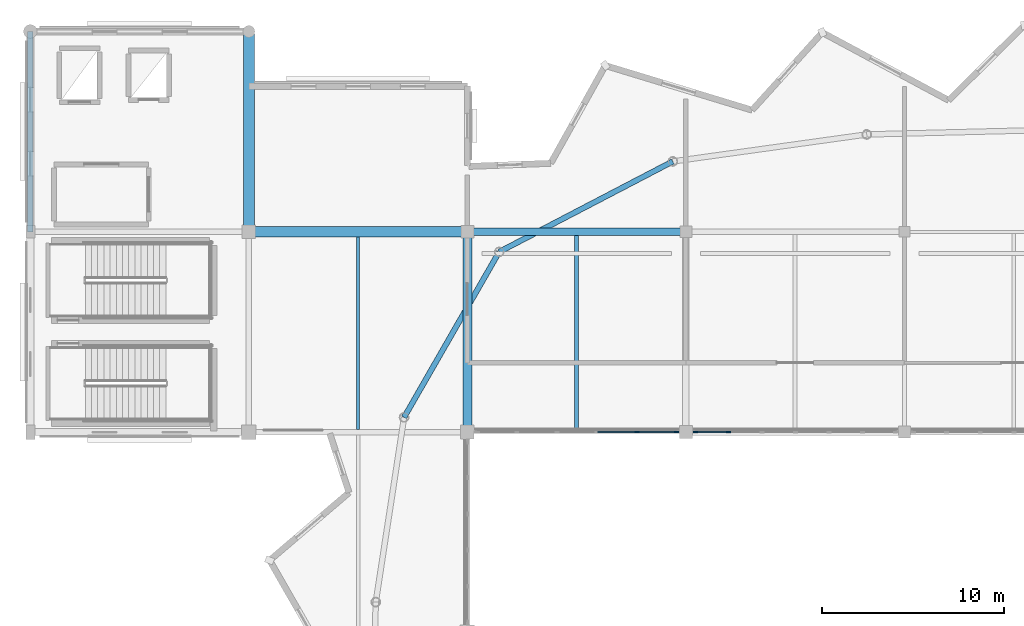
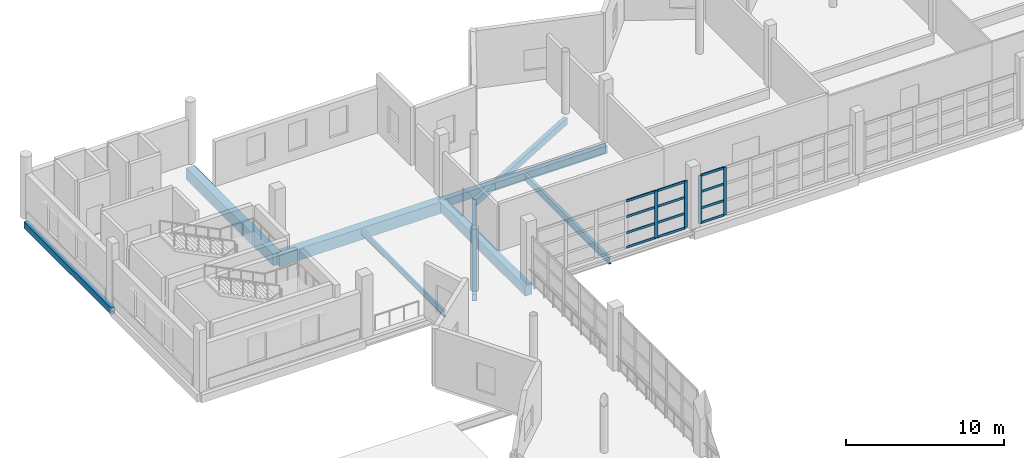
# One storey, part 22 of 53: 16 members, 9 beams, 2 elements without a shape of their own.
"""IFC4 building model written with IfcOpenShell, lengths in metres."""

import ifcopenshell
import ifcopenshell.guid

model = None  # the IFC model being written
_history = None  # IfcOwnerHistory: only IFC2X3 demands one
_inside = {}  # id of a spatial element -> (the spatial element, [elements in it])
_under = {}  # id of a project, library or spatial element -> (it, [spatial elements below it])
_declared = {}  # id of a project -> (the project, [libraries it declares])
_typed = {}  # id of a type object -> (the type object, [elements of that type])
_made_of = {}  # id of a material, layer set ... -> (it, [elements and type objects made of it])


def new_model(schema):
    """Start an empty IFC model of exactly this schema.

    Asked for "IFC4X3", IfcOpenShell would pick the latest addendum, in which some entities
    have other attributes; the version numbers below select the first issue.
    IFC2X3 requires an IfcOwnerHistory on every rooted entity: one is made here for all.
    """
    global model, _history
    if schema == "IFC4X3":
        model = ifcopenshell.file(schema_version=(4, 3, 0, 0))
    else:
        model = ifcopenshell.file(schema=schema)
    _inside.clear()
    _under.clear()
    _declared.clear()
    _typed.clear()
    _made_of.clear()
    _history = None
    if model.schema == "IFC2X3":
        org = make("IfcOrganization", Name="unknown")
        user = make(
            "IfcPersonAndOrganization",
            ThePerson=make("IfcPerson", FamilyName="unknown"),
            TheOrganization=org,
        )
        app = make(
            "IfcApplication",
            ApplicationDeveloper=org,
            Version="unknown",
            ApplicationFullName="unknown",
            ApplicationIdentifier="unknown",
        )
        _history = make(
            "IfcOwnerHistory",
            OwningUser=user,
            OwningApplication=app,
            ChangeAction="ADDED",
            CreationDate=0,
        )
    return model


def make(cls, **values):
    """One entity of the class cls with the attributes given. An attribute that is None is left unset."""
    return model.create_entity(
        cls, **{name: value for name, value in values.items() if value is not None}
    )


def rooted(cls, **values):
    """An entity with a GlobalId (a new one), such as an element, a storey or a relation."""
    return make(cls, GlobalId=ifcopenshell.guid.new(), OwnerHistory=_history, **values)


def si_unit(unit_type, name, prefix=None):
    """IfcSIUnit, for example si_unit("LENGTHUNIT", "METRE", prefix="MILLI")."""
    return make("IfcSIUnit", UnitType=unit_type, Prefix=prefix, Name=name)


def assignment(units):
    """IfcUnitAssignment: the units of a project."""
    return None if units is None else make("IfcUnitAssignment", Units=units)


def point(xyz):
    """IfcCartesianPoint."""
    return None if xyz is None else make("IfcCartesianPoint", Coordinates=xyz)


def direction(xyz):
    """IfcDirection."""
    return None if xyz is None else make("IfcDirection", DirectionRatios=xyz)


def frame(location, z_axis=None, x_axis=None):
    """IfcAxis2Placement3D, a coordinate frame: its origin and axes. An axis left out is left unset."""
    return make(
        "IfcAxis2Placement3D",
        Location=point(location),
        Axis=direction(z_axis),
        RefDirection=direction(x_axis),
    )


def frame_2d(location, x_axis=None):
    """IfcAxis2Placement2D, a coordinate frame in the plane: its origin and x axis."""
    return make(
        "IfcAxis2Placement2D", Location=point(location), RefDirection=direction(x_axis)
    )


def origin():
    """The frame at (0, 0, 0) with its axes left unset."""
    return frame((0.0, 0.0, 0.0))


def origin_2d():
    """The frame at (0, 0) in the plane with its x axis left unset."""
    return frame_2d((0.0, 0.0))


def place(relative_to, where):
    """IfcLocalPlacement: puts the frame where relative to a parent placement (None: the world)."""
    return make(
        "IfcLocalPlacement", PlacementRelTo=relative_to, RelativePlacement=where
    )


def context(
    kind, dimensions, precision=None, world=None, true_north=None, identifier=None
):
    """IfcGeometricRepresentationContext, for example the 3D "Model" context."""
    return make(
        "IfcGeometricRepresentationContext",
        ContextIdentifier=identifier,
        ContextType=kind,
        CoordinateSpaceDimension=dimensions,
        Precision=precision,
        WorldCoordinateSystem=world,
        TrueNorth=true_north,
    )


def subcontext(parent, identifier, kind, view, scale=None):
    """IfcGeometricRepresentationSubContext, for example "Body" below "Model"."""
    return make(
        "IfcGeometricRepresentationSubContext",
        ContextIdentifier=identifier,
        ContextType=kind,
        ParentContext=parent,
        TargetScale=scale,
        TargetView=view,
    )


def project(units=None, contexts=None):
    """IfcProject with its units and contexts."""
    return rooted(
        "IfcProject",
        Name="project",
        RepresentationContexts=contexts,
        UnitsInContext=assignment(units),
    )


def spatial(cls, under=None, at=None, **own):
    """A site, building, storey or space (cls), placed at a placement, below another one or the project."""
    s = rooted(cls, ObjectPlacement=at, **own)
    if under is not None:
        _under.setdefault(under.id(), (under, []))[1].append(s)
    return s


def profile(cls, at=None, kind="AREA", **sizes):
    """A parametric profile (cls). Its sizes go by their IFC names, for example OverallWidth=200.0."""
    return make(cls, ProfileType=kind, Position=at, **sizes)


def rectangle(**sizes):
    """IfcRectangleProfileDef."""
    return profile("IfcRectangleProfileDef", **sizes)


def hollow_rectangle(**sizes):
    """IfcRectangleHollowProfileDef."""
    return profile("IfcRectangleHollowProfileDef", **sizes)


def i_section(**sizes):
    """IfcIShapeProfileDef."""
    return profile("IfcIShapeProfileDef", **sizes)


def extrude(swept, where, along, depth):
    """IfcExtrudedAreaSolid: the profile swept, set in the frame where, extruded along a direction by depth."""
    return make(
        "IfcExtrudedAreaSolid",
        SweptArea=swept,
        Position=where,
        ExtrudedDirection=direction(along),
        Depth=depth,
    )


def shape(context_of_items, identifier, shape_type, items):
    """IfcShapeRepresentation: the items that make up one representation, for example the "Body"."""
    return make(
        "IfcShapeRepresentation",
        ContextOfItems=context_of_items,
        RepresentationIdentifier=identifier,
        RepresentationType=shape_type,
        Items=items,
    )


def material(Name=None, Category=None):
    """IfcMaterial."""
    return make("IfcMaterial", Name=Name, Category=Category)


def material_profile(
    of_material, cross_section, Name=None, Category=None, Priority=None
):
    """IfcMaterialProfile: a cross section and its material."""
    return make(
        "IfcMaterialProfile",
        Name=Name,
        Material=of_material,
        Profile=cross_section,
        Priority=Priority,
        Category=Category,
    )


def profile_set(profiles, Name=None, composite=None):
    """IfcMaterialProfileSet."""
    return make(
        "IfcMaterialProfileSet",
        Name=Name,
        MaterialProfiles=profiles,
        CompositeProfile=composite,
    )


def made_of(thing, what):
    """Note that an element or type object is made of a material, layer set ...; save() writes the relation."""
    if what is not None:
        _made_of.setdefault(what.id(), (what, []))[1].append(thing)
    return thing


def type_object(cls, material=None, **own):
    """A type object (cls), such as IfcWallType, which elements share."""
    return made_of(rooted(cls, **own), material)


def element(
    cls,
    number,
    at=None,
    inside=None,
    cuts=None,
    type_object=None,
    material=None,
    context=None,
    identifier="Body",
    shape_type=None,
    held_by="IfcProductDefinitionShape",
    body=None,
    shapes=None,
    **own,
):
    """One element of the class cls, such as IfcWall. Its Tag is "e" and its number.

    at: its placement. inside: the storey or other place that contains it. cuts: it is an
    opening in that element (IfcRelVoidsElement). A single representation is given by context,
    identifier, shape_type and body (its items); several are given by shapes. held_by: the class
    of the entity that holds the representations. save() writes the other relations.
    """
    e = rooted(cls, Tag="e%d" % number, ObjectPlacement=at, **own)
    if body is not None:
        shapes = [shape(context, identifier, shape_type, body)]
    if shapes is not None:
        e.Representation = make(held_by, Representations=shapes)
    if inside is not None:
        _inside.setdefault(inside.id(), (inside, []))[1].append(e)
    if cuts is not None:
        rooted(
            "IfcRelVoidsElement", RelatingBuildingElement=cuts, RelatedOpeningElement=e
        )
    if type_object is not None:
        _typed.setdefault(type_object.id(), (type_object, []))[1].append(e)
    return made_of(e, material)


def aggregate(whole, parts):
    """IfcRelAggregates: a whole, such as a stair, and the parts it consists of."""
    return rooted("IfcRelAggregates", RelatingObject=whole, RelatedObjects=parts)


def save(model, path):
    """Write the relations noted so far, then the file.

    IfcRelAggregates (storeys below a building ...), IfcRelContainedInSpatialStructure (elements
    in a storey), IfcRelDefinesByType, IfcRelAssociatesMaterial and IfcRelDeclares: one each for
    every whole, place, type object, material and project.
    """
    for whole, parts in _under.values():
        aggregate(whole, parts)
    for where, things in _inside.values():
        rooted(
            "IfcRelContainedInSpatialStructure",
            RelatedElements=things,
            RelatingStructure=where,
        )
    for kind, things in _typed.values():
        rooted("IfcRelDefinesByType", RelatedObjects=things, RelatingType=kind)
    for what, things in _made_of.values():
        rooted("IfcRelAssociatesMaterial", RelatedObjects=things, RelatingMaterial=what)
    for by, libraries in _declared.values():
        rooted("IfcRelDeclares", RelatingContext=by, RelatedDefinitions=libraries)
    model.write(path)


model = new_model("IFC4")

# Units and contexts
model_context = context("Model", 3, precision=1e-05, world=origin(), true_north=direction((0.0, 1.0)))
body_context = subcontext(model_context, "Body", "Model", "MODEL_VIEW")
ifc_project = project(units=[si_unit("LENGTHUNIT", "METRE"), si_unit("AREAUNIT", "SQUARE_METRE"), si_unit("VOLUMEUNIT", "CUBIC_METRE"), si_unit("PLANEANGLEUNIT", "RADIAN"), si_unit("MASSUNIT", "GRAM", prefix="KILO")], contexts=[model_context])

# Site, building, storey
site_placement = place(None, origin())
site = spatial("IfcSite", under=ifc_project, at=site_placement, CompositionType="ELEMENT")
building_placement = place(site_placement, origin())
building = spatial("IfcBuilding", under=site, at=building_placement, Name="Luwafu Chhajja Arena", CompositionType="ELEMENT")
storey_placement = place(building_placement, frame((0.0, 0.0, 19.5)))
storey = spatial("IfcBuildingStorey", under=building, at=storey_placement, Name="L04", CompositionType="ELEMENT", Elevation=19.5)

# Curtain wall, members
ifc_material_1 = material(Name="Anodised bronze aluminium", Category="aluminium")
curtain_wall_type = type_object("IfcCurtainWallType", Name="Media Ribbon Curtain Wall", PredefinedType="USERDEFINED", material=ifc_material_1)
curtain_wall_1_placement = place(storey_placement, origin())
curtain_wall_1 = element("IfcCurtainWall", 1, at=curtain_wall_1_placement, inside=storey, type_object=curtain_wall_type, Name="L04 Bowl Viewing Curtain Wall CWR-L04-08", ObjectType="CURTAIN WALL", PredefinedType="USERDEFINED")
ifc_material_profile_1 = material_profile(ifc_material_1, rectangle(XDim=0.070068359375, YDim=0.239990234375, at=origin_2d()), Name="CWM 70x240")
ifc_profile_set_1 = profile_set([ifc_material_profile_1], Name="Anodised bronze aluminium")
member_type_1 = type_object("IfcMemberType", Name="Bronze Curtain Wall Mullion 70x240", PredefinedType="MULLION", material=ifc_profile_set_1)
member_1_placement = place(storey_placement, frame((67.31103515625, 77.0, 0.0), z_axis=(0.0, 0.0, 1.0), x_axis=(0.0, 1.0, 0.0)))
member_1 = element("IfcMember", 2, at=member_1_placement, type_object=member_type_1, Name="CW-03 mullion 5", PredefinedType="MULLION", context=body_context, shape_type="SweptSolid", body=[
    extrude(rectangle(XDim=0.070068359375, YDim=0.239990234375, at=origin_2d()), origin(), (0.0, 0.0, 1.0), 3.639892578125),
])
member_2_placement = place(storey_placement, frame((69.47509765625, 77.0, 0.0), z_axis=(0.0, 0.0, 1.0), x_axis=(0.0, 1.0, 0.0)))
member_2 = element("IfcMember", 3, at=member_2_placement, type_object=member_type_1, Name="CW-03 mullion 6", PredefinedType="MULLION", context=body_context, shape_type="SweptSolid", body=[
    extrude(rectangle(XDim=0.070068359375, YDim=0.239990234375, at=origin_2d()), origin(), (0.0, 0.0, 1.0), 3.639892578125),
])

curtain_wall_2_placement = place(storey_placement, origin())
curtain_wall_2 = element("IfcCurtainWall", 4, at=curtain_wall_2_placement, inside=storey, type_object=curtain_wall_type, Name="L04 Bowl Viewing Curtain Wall CWR-L04-09", ObjectType="CURTAIN WALL", PredefinedType="USERDEFINED")
member_3_placement = place(storey_placement, frame((70.52490234375, 77.0, 0.0), z_axis=(0.0, 0.0, 1.0), x_axis=(0.0, 1.0, 0.0)))
member_3 = element("IfcMember", 5, at=member_3_placement, type_object=member_type_1, Name="CW-03 mullion 1", PredefinedType="MULLION", context=body_context, shape_type="SweptSolid", body=[
    extrude(rectangle(XDim=0.070068359375, YDim=0.239990234375, at=origin_2d()), origin(), (0.0, 0.0, 1.0), 3.70654296875),
])
member_4_placement = place(storey_placement, frame((72.330810546875, 77.0, 0.0), z_axis=(0.0, 0.0, 1.0), x_axis=(0.0, 1.0, 0.0)))
member_4 = element("IfcMember", 6, at=member_4_placement, type_object=member_type_1, Name="CW-03 mullion 2", PredefinedType="MULLION", context=body_context, shape_type="SweptSolid", body=[
    extrude(rectangle(XDim=0.070068359375, YDim=0.239990234375, at=origin_2d()), origin(), (0.0, 0.0, 1.0), 3.70654296875),
])

# Member
ifc_material_profile_2 = material_profile(ifc_material_1, rectangle(XDim=0.070068359375, YDim=0.179931640625, at=origin_2d()), Name="CWT 70x180")
ifc_profile_set_2 = profile_set([ifc_material_profile_2], Name="Anodised bronze aluminium")
member_type_2 = type_object("IfcMemberType", Name="Bronze Curtain Wall Transom 70x180", PredefinedType="USERDEFINED", material=ifc_profile_set_2)
member_5_placement = place(storey_placement, frame((65.14697265625, 77.0, 0.034912109375), z_axis=(1.0, 0.0, 0.0), x_axis=(0.0, 1.0, 0.0)))
member_5 = element("IfcMember", 7, at=member_5_placement, type_object=member_type_2, Name="CW-03 transom 4.1", ObjectType="TRANSOM", PredefinedType="USERDEFINED", context=body_context, shape_type="SweptSolid", body=[
    extrude(rectangle(XDim=0.070068359375, YDim=0.179931640625, at=origin_2d()), origin(), (0.0, 0.0, 1.0), 2.12890625),
])

member_6_placement = place(storey_placement, frame((65.14697265625, 77.0, 1.14990234375), z_axis=(1.0, 0.0, 0.0), x_axis=(0.0, 1.0, 0.0)))
member_6 = element("IfcMember", 8, at=member_6_placement, type_object=member_type_2, Name="CW-03 transom 4.2", ObjectType="TRANSOM", PredefinedType="USERDEFINED", context=body_context, shape_type="SweptSolid", body=[
    extrude(rectangle(XDim=0.070068359375, YDim=0.179931640625, at=origin_2d()), origin(), (0.0, 0.0, 1.0), 2.12890625),
])

member_7_placement = place(storey_placement, frame((65.14697265625, 77.0, 2.39501953125), z_axis=(1.0, 0.0, 0.0), x_axis=(0.0, 1.0, 0.0)))
member_7 = element("IfcMember", 9, at=member_7_placement, type_object=member_type_2, Name="CW-03 transom 4.3", ObjectType="TRANSOM", PredefinedType="USERDEFINED", context=body_context, shape_type="SweptSolid", body=[
    extrude(rectangle(XDim=0.070068359375, YDim=0.179931640625, at=origin_2d()), origin(), (0.0, 0.0, 1.0), 2.12890625),
])

member_8_placement = place(storey_placement, frame((65.14697265625, 77.0, 3.60498046875), z_axis=(1.0, 0.0, 0.0), x_axis=(0.0, 1.0, 0.0)))
member_8 = element("IfcMember", 10, at=member_8_placement, type_object=member_type_2, Name="CW-03 transom 4.4", ObjectType="TRANSOM", PredefinedType="USERDEFINED", context=body_context, shape_type="SweptSolid", body=[
    extrude(rectangle(XDim=0.070068359375, YDim=0.179931640625, at=origin_2d()), origin(), (0.0, 0.0, 1.0), 2.12890625),
])

member_9_placement = place(storey_placement, frame((67.345947265625, 77.0, 0.034912109375), z_axis=(1.0, 0.0, 0.0), x_axis=(0.0, 1.0, 0.0)))
member_9 = element("IfcMember", 11, at=member_9_placement, type_object=member_type_2, Name="CW-03 transom 5.1", ObjectType="TRANSOM", PredefinedType="USERDEFINED", context=body_context, shape_type="SweptSolid", body=[
    extrude(rectangle(XDim=0.070068359375, YDim=0.179931640625, at=origin_2d()), origin(), (0.0, 0.0, 1.0), 2.093994140625),
])

member_10_placement = place(storey_placement, frame((67.345947265625, 77.0, 1.14990234375), z_axis=(1.0, 0.0, 0.0), x_axis=(0.0, 1.0, 0.0)))
member_10 = element("IfcMember", 12, at=member_10_placement, type_object=member_type_2, Name="CW-03 transom 5.2", ObjectType="TRANSOM", PredefinedType="USERDEFINED", context=body_context, shape_type="SweptSolid", body=[
    extrude(rectangle(XDim=0.070068359375, YDim=0.179931640625, at=origin_2d()), origin(), (0.0, 0.0, 1.0), 2.093994140625),
])

member_11_placement = place(storey_placement, frame((67.345947265625, 77.0, 2.39501953125), z_axis=(1.0, 0.0, 0.0), x_axis=(0.0, 1.0, 0.0)))
member_11 = element("IfcMember", 13, at=member_11_placement, type_object=member_type_2, Name="CW-03 transom 5.3", ObjectType="TRANSOM", PredefinedType="USERDEFINED", context=body_context, shape_type="SweptSolid", body=[
    extrude(rectangle(XDim=0.070068359375, YDim=0.179931640625, at=origin_2d()), origin(), (0.0, 0.0, 1.0), 2.093994140625),
])

member_12_placement = place(storey_placement, frame((67.345947265625, 77.0, 3.60498046875), z_axis=(1.0, 0.0, 0.0), x_axis=(0.0, 1.0, 0.0)))
member_12 = element("IfcMember", 14, at=member_12_placement, type_object=member_type_2, Name="CW-03 transom 5.4", ObjectType="TRANSOM", PredefinedType="USERDEFINED", context=body_context, shape_type="SweptSolid", body=[
    extrude(rectangle(XDim=0.070068359375, YDim=0.179931640625, at=origin_2d()), origin(), (0.0, 0.0, 1.0), 2.093994140625),
])

aggregate(curtain_wall_1, [member_1, member_2, member_5, member_6, member_7, member_8, member_9, member_10, member_11, member_12])

member_13_placement = place(storey_placement, frame((70.56005859375, 77.0, 0.034912109375), z_axis=(1.0, 0.0, 0.0), x_axis=(0.0, 1.0, 0.0)))
member_13 = element("IfcMember", 15, at=member_13_placement, type_object=member_type_2, Name="CW-03 transom 1.1", ObjectType="TRANSOM", PredefinedType="USERDEFINED", context=body_context, shape_type="SweptSolid", body=[
    extrude(rectangle(XDim=0.070068359375, YDim=0.179931640625, at=origin_2d()), origin(), (0.0, 0.0, 1.0), 1.73583984375),
])

member_14_placement = place(storey_placement, frame((70.56005859375, 77.0, 1.14990234375), z_axis=(1.0, 0.0, 0.0), x_axis=(0.0, 1.0, 0.0)))
member_14 = element("IfcMember", 16, at=member_14_placement, type_object=member_type_2, Name="CW-03 transom 1.2", ObjectType="TRANSOM", PredefinedType="USERDEFINED", context=body_context, shape_type="SweptSolid", body=[
    extrude(rectangle(XDim=0.070068359375, YDim=0.179931640625, at=origin_2d()), origin(), (0.0, 0.0, 1.0), 1.73583984375),
])

member_15_placement = place(storey_placement, frame((70.56005859375, 77.0, 2.42822265625), z_axis=(1.0, 0.0, 0.0), x_axis=(0.0, 1.0, 0.0)))
member_15 = element("IfcMember", 17, at=member_15_placement, type_object=member_type_2, Name="CW-03 transom 1.3", ObjectType="TRANSOM", PredefinedType="USERDEFINED", context=body_context, shape_type="SweptSolid", body=[
    extrude(rectangle(XDim=0.070068359375, YDim=0.179931640625, at=origin_2d()), origin(), (0.0, 0.0, 1.0), 1.73583984375),
])

member_16_placement = place(storey_placement, frame((70.56005859375, 77.0, 3.67138671875), z_axis=(1.0, 0.0, 0.0), x_axis=(0.0, 1.0, 0.0)))
member_16 = element("IfcMember", 18, at=member_16_placement, type_object=member_type_2, Name="CW-03 transom 1.4", ObjectType="TRANSOM", PredefinedType="USERDEFINED", context=body_context, shape_type="SweptSolid", body=[
    extrude(rectangle(XDim=0.070068359375, YDim=0.179931640625, at=origin_2d()), origin(), (0.0, 0.0, 1.0), 1.73583984375),
])

aggregate(curtain_wall_2, [member_3, member_4, member_13, member_14, member_15, member_16])

# Beams
ifc_material_2 = material(Name="Concrete C35/45", Category="concrete")
ifc_material_profile_3 = material_profile(ifc_material_2, rectangle(XDim=0.60009765625, YDim=0.89990234375, at=origin_2d()), Name="RC 600x900")
ifc_profile_set_3 = profile_set([ifc_material_profile_3], Name="Concrete C35/45")
beam_type_1 = type_object("IfcBeamType", Name="Concourse Primary Girder RC 600x900", PredefinedType="BEAM", material=ifc_profile_set_3)
beam_1_placement = place(storey_placement, frame((46.0, 88.0, -0.840087890625), z_axis=(1.0, 0.0, 0.0), x_axis=(0.0, 1.0, 0.0)))
element("IfcBeam", 19, at=beam_1_placement, inside=storey, type_object=beam_type_1, Name="L04 Grid Beam 5-6/J", PredefinedType="BEAM", context=body_context, shape_type="SweptSolid", body=[
    extrude(rectangle(XDim=0.60009765625, YDim=0.89990234375, at=origin_2d()), origin(), (0.0, 0.0, 1.0), 12.0),
])
beam_2_placement = place(storey_placement, frame((46.0, 88.0, -0.840087890625), z_axis=(0.0, 1.0, 0.0), x_axis=(-1.0, 0.0, 0.0)))
element("IfcBeam", 20, at=beam_2_placement, inside=storey, type_object=beam_type_1, Name="L04 Grid Beam 5/J-K", PredefinedType="BEAM", context=body_context, shape_type="SweptSolid", body=[
    extrude(rectangle(XDim=0.60009765625, YDim=0.89990234375, at=origin_2d()), origin(), (0.0, 0.0, 1.0), 11.0),
])
ifc_material_3 = material(Name="Steel S355", Category="steel")
ifc_material_profile_4 = material_profile(ifc_material_3, i_section(OverallWidth=0.15283203125, OverallDepth=0.45458984375, WebThickness=0.008056640625, FlangeThickness=0.01318359375, at=origin_2d()), Name="UB 457x152x60")
ifc_profile_set_4 = profile_set([ifc_material_profile_4], Name="Steel S355")
beam_type_2 = type_object("IfcBeamType", Name="Floor Joist UB 457x152x60", PredefinedType="JOIST", material=ifc_profile_set_4)
beam_3_placement = place(storey_placement, frame((52.0, 77.14990234375, -0.6171875), z_axis=(0.0, 1.0, 0.0), x_axis=(-1.0, 0.0, 0.0)))
element("IfcBeam", 21, at=beam_3_placement, inside=storey, type_object=beam_type_2, Name="L04 Secondary Joist 5-6/H", PredefinedType="JOIST", context=body_context, shape_type="SweptSolid", body=[
    extrude(i_section(OverallWidth=0.15283203125, OverallDepth=0.45458984375, WebThickness=0.008056640625, FlangeThickness=0.01318359375, at=origin_2d()), origin(), (0.0, 0.0, 1.0), 10.550048828125),
])
ifc_material_profile_5 = material_profile(ifc_material_3, i_section(OverallWidth=0.2099609375, OverallDepth=0.53662109375, WebThickness=0.0107421875, FlangeThickness=0.017333984375, at=origin_2d()), Name="UB 533x210x101")
ifc_profile_set_5 = profile_set([ifc_material_profile_5], Name="Steel S355")
beam_type_3 = type_object("IfcBeamType", Name="Floor Joist UB 533x210x101", PredefinedType="JOIST", material=ifc_profile_set_5)
beam_4_placement = place(storey_placement, frame((64.0, 77.082763671875, -0.658447265625), z_axis=(0.0, 1.0, 0.0), x_axis=(-1.0, 0.0, 0.0)))
element("IfcBeam", 22, at=beam_4_placement, inside=storey, type_object=beam_type_3, Name="L04 Secondary Joist 6-7/H", PredefinedType="JOIST", context=body_context, shape_type="SweptSolid", body=[
    extrude(i_section(OverallWidth=0.2099609375, OverallDepth=0.53662109375, WebThickness=0.0107421875, FlangeThickness=0.017333984375, at=origin_2d()), origin(), (0.0, 0.0, 1.0), 10.71728515625),
])
ifc_material_profile_6 = material_profile(ifc_material_2, rectangle(XDim=0.5, YDim=0.800048828125, at=origin_2d()), Name="RC 500x800")
ifc_profile_set_6 = profile_set([ifc_material_profile_6], Name="Concrete C35/45")
beam_type_4 = type_object("IfcBeamType", Name="Hospitality Primary Beam RC 500x800", PredefinedType="BEAM", material=ifc_profile_set_6)
beam_5_placement = place(storey_placement, frame((58.0, 77.0, -0.7900390625), z_axis=(0.0, 1.0, 0.0), x_axis=(-1.0, 0.0, 0.0)))
element("IfcBeam", 23, at=beam_5_placement, inside=storey, type_object=beam_type_4, Name="L04 Grid Beam 6/H-J", PredefinedType="BEAM", context=body_context, shape_type="SweptSolid", body=[
    extrude(rectangle(XDim=0.5, YDim=0.800048828125, at=origin_2d()), origin(), (0.0, 0.0, 1.0), 11.0),
])
ifc_material_profile_7 = material_profile(ifc_material_3, hollow_rectangle(XDim=0.300048828125, YDim=0.5, WallThickness=0.02001953125, at=origin_2d()), Name="RHS 500x300x20")
ifc_profile_set_7 = profile_set([ifc_material_profile_7], Name="Steel S355")
beam_type_5 = type_object("IfcBeamType", Name="Pleated Drum Spandrel Beam RHS 500x300", PredefinedType="SPANDREL", material=ifc_profile_set_7)
beam_6_placement = place(storey_placement, frame((34.0, 88.0, -0.639892578125), z_axis=(0.0, 1.0, 0.0), x_axis=(-1.0, 0.0, 0.0)))
element("IfcBeam", 24, at=beam_6_placement, inside=storey, type_object=beam_type_5, Name="L04 Grid Beam 4/J-K", PredefinedType="SPANDREL", context=body_context, shape_type="SweptSolid", body=[
    extrude(hollow_rectangle(XDim=0.300048828125, YDim=0.5, WallThickness=0.02001953125, at=origin_2d()), origin(), (0.0, 0.0, 1.0), 11.0),
])
beam_7_placement = place(storey_placement, frame((69.281982421875, 91.86279296875, -0.639892578125), z_axis=(-0.886755170812, -0.462239404463, 0.0), x_axis=(0.462239404463, -0.886755170812, 0.0)))
element("IfcBeam", 25, at=beam_7_placement, inside=storey, type_object=beam_type_5, Name="L04 Drum Ring Spandrel D12-D13", PredefinedType="SPANDREL", context=body_context, shape_type="SweptSolid", body=[
    extrude(hollow_rectangle(XDim=0.300048828125, YDim=0.5, WallThickness=0.02001953125, at=origin_2d()), origin(), (0.0, 0.0, 1.0), 10.756103515625),
])
beam_8_placement = place(storey_placement, frame((59.743896484375, 86.890869140625, -0.639892578125), z_axis=(-0.498192671921, -0.867066353657, 0.0), x_axis=(0.867066353657, -0.498192671921, 0.0)))
element("IfcBeam", 26, at=beam_8_placement, inside=storey, type_object=beam_type_5, Name="L04 Drum Ring Spandrel D13-D14", PredefinedType="SPANDREL", context=body_context, shape_type="SweptSolid", body=[
    extrude(hollow_rectangle(XDim=0.300048828125, YDim=0.5, WallThickness=0.02001953125, at=origin_2d()), origin(), (0.0, 0.0, 1.0), 10.477783203125),
])
ifc_material_profile_8 = material_profile(ifc_material_2, rectangle(XDim=0.39990234375, YDim=0.60009765625, at=origin_2d()), Name="RC 400x600")
ifc_profile_set_8 = profile_set([ifc_material_profile_8], Name="Concrete C35/45")
beam_type_6 = type_object("IfcBeamType", Name="Podium Perimeter Spandrel RC 400x600", PredefinedType="SPANDREL", material=ifc_profile_set_8)
beam_9_placement = place(storey_placement, frame((58.0, 88.0, -0.68994140625), z_axis=(1.0, 0.0, 0.0), x_axis=(0.0, 1.0, 0.0)))
element("IfcBeam", 27, at=beam_9_placement, inside=storey, type_object=beam_type_6, Name="L04 Grid Beam 6-7/J", PredefinedType="SPANDREL", context=body_context, shape_type="SweptSolid", body=[
    extrude(rectangle(XDim=0.39990234375, YDim=0.60009765625, at=origin_2d()), origin(), (0.0, 0.0, 1.0), 12.0),
])

save(model, "model.ifc")
